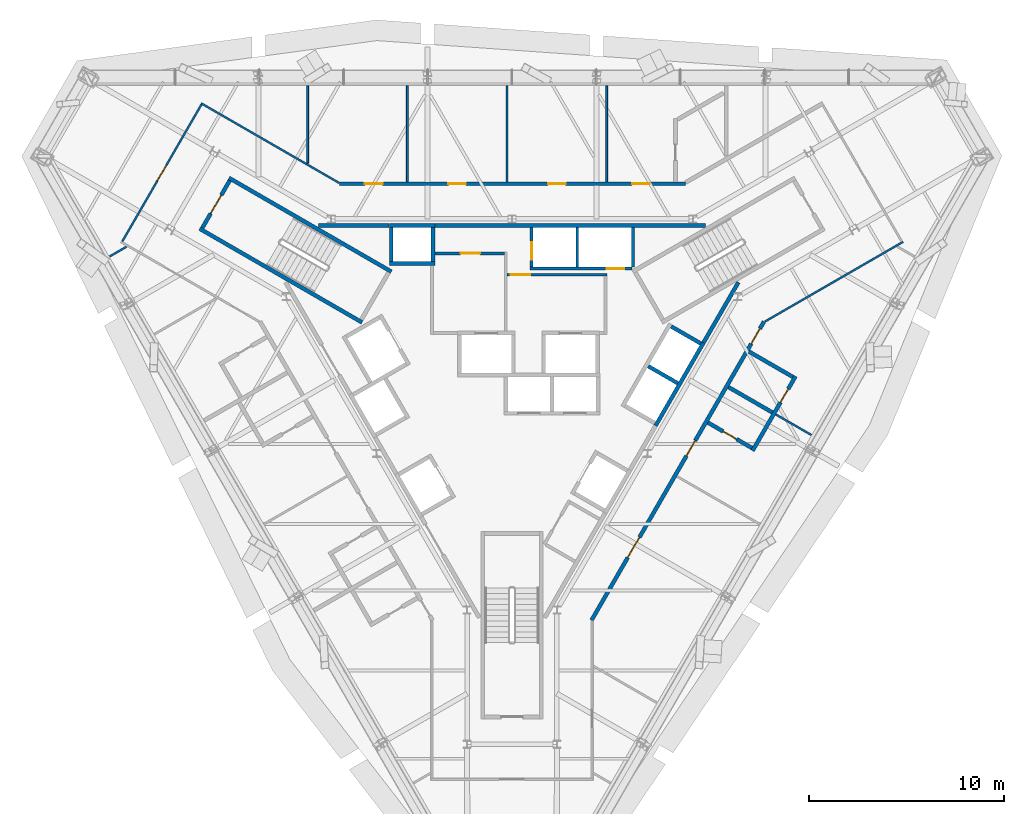
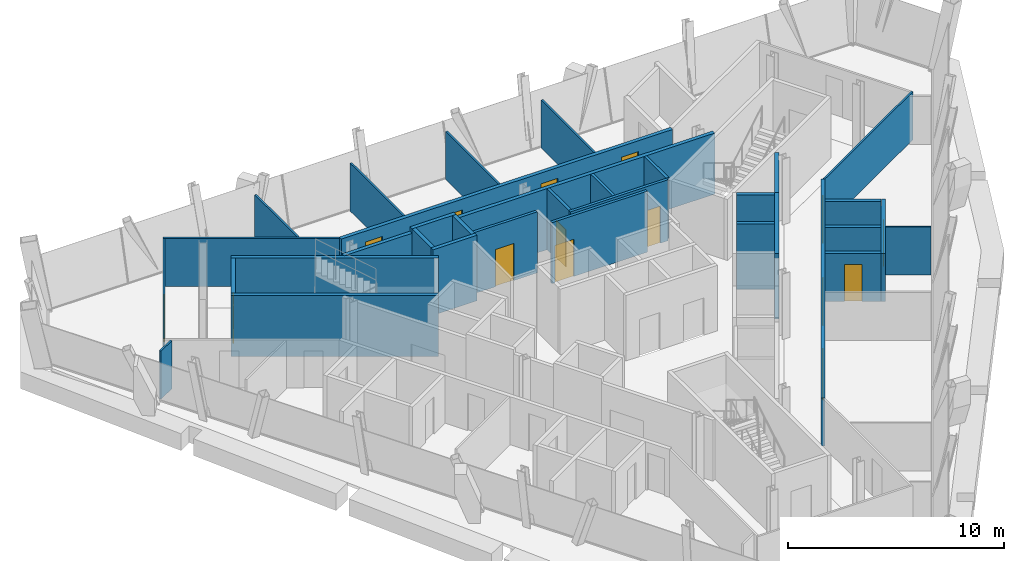
# One storey, part 8 of 10: 34 walls, 15 doors, 15 openings.
"""IFC4 building model written with IfcOpenShell, lengths in metres."""

import ifcopenshell
import ifcopenshell.guid

model = None  # the IFC model being written
_history = None  # IfcOwnerHistory: only IFC2X3 demands one
_inside = {}  # id of a spatial element -> (the spatial element, [elements in it])
_under = {}  # id of a project, library or spatial element -> (it, [spatial elements below it])
_declared = {}  # id of a project -> (the project, [libraries it declares])
_typed = {}  # id of a type object -> (the type object, [elements of that type])
_made_of = {}  # id of a material, layer set ... -> (it, [elements and type objects made of it])


def new_model(schema):
    """Start an empty IFC model of exactly this schema.

    Asked for "IFC4X3", IfcOpenShell would pick the latest addendum, in which some entities
    have other attributes; the version numbers below select the first issue.
    IFC2X3 requires an IfcOwnerHistory on every rooted entity: one is made here for all.
    """
    global model, _history
    if schema == "IFC4X3":
        model = ifcopenshell.file(schema_version=(4, 3, 0, 0))
    else:
        model = ifcopenshell.file(schema=schema)
    _inside.clear()
    _under.clear()
    _declared.clear()
    _typed.clear()
    _made_of.clear()
    _history = None
    if model.schema == "IFC2X3":
        org = make("IfcOrganization", Name="unknown")
        user = make(
            "IfcPersonAndOrganization",
            ThePerson=make("IfcPerson", FamilyName="unknown"),
            TheOrganization=org,
        )
        app = make(
            "IfcApplication",
            ApplicationDeveloper=org,
            Version="unknown",
            ApplicationFullName="unknown",
            ApplicationIdentifier="unknown",
        )
        _history = make(
            "IfcOwnerHistory",
            OwningUser=user,
            OwningApplication=app,
            ChangeAction="ADDED",
            CreationDate=0,
        )
    return model


def make(cls, **values):
    """One entity of the class cls with the attributes given. An attribute that is None is left unset."""
    return model.create_entity(
        cls, **{name: value for name, value in values.items() if value is not None}
    )


def rooted(cls, **values):
    """An entity with a GlobalId (a new one), such as an element, a storey or a relation."""
    return make(cls, GlobalId=ifcopenshell.guid.new(), OwnerHistory=_history, **values)


def si_unit(unit_type, name, prefix=None):
    """IfcSIUnit, for example si_unit("LENGTHUNIT", "METRE", prefix="MILLI")."""
    return make("IfcSIUnit", UnitType=unit_type, Prefix=prefix, Name=name)


def assignment(units):
    """IfcUnitAssignment: the units of a project."""
    return None if units is None else make("IfcUnitAssignment", Units=units)


def point(xyz):
    """IfcCartesianPoint."""
    return None if xyz is None else make("IfcCartesianPoint", Coordinates=xyz)


def direction(xyz):
    """IfcDirection."""
    return None if xyz is None else make("IfcDirection", DirectionRatios=xyz)


def frame(location, z_axis=None, x_axis=None):
    """IfcAxis2Placement3D, a coordinate frame: its origin and axes. An axis left out is left unset."""
    return make(
        "IfcAxis2Placement3D",
        Location=point(location),
        Axis=direction(z_axis),
        RefDirection=direction(x_axis),
    )


def frame_2d(location, x_axis=None):
    """IfcAxis2Placement2D, a coordinate frame in the plane: its origin and x axis."""
    return make(
        "IfcAxis2Placement2D", Location=point(location), RefDirection=direction(x_axis)
    )


def origin():
    """The frame at (0, 0, 0) with its axes left unset."""
    return frame((0.0, 0.0, 0.0))


def place(relative_to, where):
    """IfcLocalPlacement: puts the frame where relative to a parent placement (None: the world)."""
    return make(
        "IfcLocalPlacement", PlacementRelTo=relative_to, RelativePlacement=where
    )


def context(
    kind, dimensions, precision=None, world=None, true_north=None, identifier=None
):
    """IfcGeometricRepresentationContext, for example the 3D "Model" context."""
    return make(
        "IfcGeometricRepresentationContext",
        ContextIdentifier=identifier,
        ContextType=kind,
        CoordinateSpaceDimension=dimensions,
        Precision=precision,
        WorldCoordinateSystem=world,
        TrueNorth=true_north,
    )


def subcontext(parent, identifier, kind, view, scale=None):
    """IfcGeometricRepresentationSubContext, for example "Body" below "Model"."""
    return make(
        "IfcGeometricRepresentationSubContext",
        ContextIdentifier=identifier,
        ContextType=kind,
        ParentContext=parent,
        TargetScale=scale,
        TargetView=view,
    )


def project(units=None, contexts=None):
    """IfcProject with its units and contexts."""
    return rooted(
        "IfcProject",
        Name="project",
        RepresentationContexts=contexts,
        UnitsInContext=assignment(units),
    )


def spatial(cls, under=None, at=None, **own):
    """A site, building, storey or space (cls), placed at a placement, below another one or the project."""
    s = rooted(cls, ObjectPlacement=at, **own)
    if under is not None:
        _under.setdefault(under.id(), (under, []))[1].append(s)
    return s


def profile(cls, at=None, kind="AREA", **sizes):
    """A parametric profile (cls). Its sizes go by their IFC names, for example OverallWidth=200.0."""
    return make(cls, ProfileType=kind, Position=at, **sizes)


def rectangle(**sizes):
    """IfcRectangleProfileDef."""
    return profile("IfcRectangleProfileDef", **sizes)


def extrude(swept, where, along, depth):
    """IfcExtrudedAreaSolid: the profile swept, set in the frame where, extruded along a direction by depth."""
    return make(
        "IfcExtrudedAreaSolid",
        SweptArea=swept,
        Position=where,
        ExtrudedDirection=direction(along),
        Depth=depth,
    )


def shape(context_of_items, identifier, shape_type, items):
    """IfcShapeRepresentation: the items that make up one representation, for example the "Body"."""
    return make(
        "IfcShapeRepresentation",
        ContextOfItems=context_of_items,
        RepresentationIdentifier=identifier,
        RepresentationType=shape_type,
        Items=items,
    )


def material(Name=None, Category=None):
    """IfcMaterial."""
    return make("IfcMaterial", Name=Name, Category=Category)


def layer(
    of_material, thickness, ventilated=None, Name=None, Category=None, Priority=None
):
    """IfcMaterialLayer: one layer of a wall or slab, of a material (None: an air gap)."""
    return make(
        "IfcMaterialLayer",
        Material=of_material,
        LayerThickness=thickness,
        IsVentilated=ventilated,
        Name=Name,
        Category=Category,
        Priority=Priority,
    )


def layer_set(layers, Name=None):
    """IfcMaterialLayerSet."""
    return make("IfcMaterialLayerSet", MaterialLayers=layers, LayerSetName=Name)


def made_of(thing, what):
    """Note that an element or type object is made of a material, layer set ...; save() writes the relation."""
    if what is not None:
        _made_of.setdefault(what.id(), (what, []))[1].append(thing)
    return thing


def type_object(cls, material=None, **own):
    """A type object (cls), such as IfcWallType, which elements share."""
    return made_of(rooted(cls, **own), material)


def element(
    cls,
    number,
    at=None,
    inside=None,
    cuts=None,
    type_object=None,
    material=None,
    context=None,
    identifier="Body",
    shape_type=None,
    held_by="IfcProductDefinitionShape",
    body=None,
    shapes=None,
    **own,
):
    """One element of the class cls, such as IfcWall. Its Tag is "e" and its number.

    at: its placement. inside: the storey or other place that contains it. cuts: it is an
    opening in that element (IfcRelVoidsElement). A single representation is given by context,
    identifier, shape_type and body (its items); several are given by shapes. held_by: the class
    of the entity that holds the representations. save() writes the other relations.
    """
    e = rooted(cls, Tag="e%d" % number, ObjectPlacement=at, **own)
    if body is not None:
        shapes = [shape(context, identifier, shape_type, body)]
    if shapes is not None:
        e.Representation = make(held_by, Representations=shapes)
    if inside is not None:
        _inside.setdefault(inside.id(), (inside, []))[1].append(e)
    if cuts is not None:
        rooted(
            "IfcRelVoidsElement", RelatingBuildingElement=cuts, RelatedOpeningElement=e
        )
    if type_object is not None:
        _typed.setdefault(type_object.id(), (type_object, []))[1].append(e)
    return made_of(e, material)


def fill(opening, filler):
    """IfcRelFillsElement: the door or window that sits in an opening."""
    return rooted(
        "IfcRelFillsElement",
        RelatingOpeningElement=opening,
        RelatedBuildingElement=filler,
    )


def aggregate(whole, parts):
    """IfcRelAggregates: a whole, such as a stair, and the parts it consists of."""
    return rooted("IfcRelAggregates", RelatingObject=whole, RelatedObjects=parts)


def save(model, path):
    """Write the relations noted so far, then the file.

    IfcRelAggregates (storeys below a building ...), IfcRelContainedInSpatialStructure (elements
    in a storey), IfcRelDefinesByType, IfcRelAssociatesMaterial and IfcRelDeclares: one each for
    every whole, place, type object, material and project.
    """
    for whole, parts in _under.values():
        aggregate(whole, parts)
    for where, things in _inside.values():
        rooted(
            "IfcRelContainedInSpatialStructure",
            RelatedElements=things,
            RelatingStructure=where,
        )
    for kind, things in _typed.values():
        rooted("IfcRelDefinesByType", RelatedObjects=things, RelatingType=kind)
    for what, things in _made_of.values():
        rooted("IfcRelAssociatesMaterial", RelatedObjects=things, RelatingMaterial=what)
    for by, libraries in _declared.values():
        rooted("IfcRelDeclares", RelatingContext=by, RelatedDefinitions=libraries)
    model.write(path)


model = new_model("IFC4")

# Units and contexts
model_context = context("Model", 3, precision=1e-05, world=origin(), true_north=direction((0.0, 1.0)))
body_context = subcontext(model_context, "Body", "Model", "MODEL_VIEW")
ifc_project = project(units=[si_unit("LENGTHUNIT", "METRE"), si_unit("AREAUNIT", "SQUARE_METRE"), si_unit("VOLUMEUNIT", "CUBIC_METRE"), si_unit("PLANEANGLEUNIT", "RADIAN"), si_unit("MASSUNIT", "GRAM", prefix="KILO")], contexts=[model_context])

# Site, building, storey
site_placement = place(None, origin())
site = spatial("IfcSite", under=ifc_project, at=site_placement, CompositionType="ELEMENT")
building_placement = place(site_placement, origin())
building = spatial("IfcBuilding", under=site, at=building_placement, Name="Verrane Prism Tower", CompositionType="ELEMENT")
storey_placement = place(building_placement, frame((0.0, 0.0, 213.800048828125)))
storey = spatial("IfcBuildingStorey", under=building, at=storey_placement, Name="L53", CompositionType="ELEMENT", Elevation=213.800048828125)

# Walls
ifc_material_1 = material(Name="Gypsum board partition", Category="other")
ifc_layer_1 = layer(ifc_material_1, 0.199951171875)
ifc_layer_set_1 = layer_set([ifc_layer_1], Name="CW-200 core boundary wall 2 h")
wall_type_1 = type_object("IfcWallType", Name="CW-200 core boundary wall 2 h", PredefinedType="PARTITIONING", material=ifc_layer_set_1)
wall_1_placement = place(storey_placement, frame((-9.907958984375, 7.659912109375, 0.0), z_axis=(0.0, 0.0, 1.0), x_axis=(1.0, 0.0, 0.0)))
element("IfcWall", 1, at=wall_1_placement, inside=storey, type_object=wall_type_1, Name="Core boundary wall CW3-002", PredefinedType="PARTITIONING", context=body_context, shape_type="SweptSolid", body=[
    extrude(rectangle(XDim=3.620849609375, YDim=0.199951171875, at=frame_2d((1.810546875, 0.0))), origin(), (0.0, 0.0, 1.0), 3.449951171875),
])
wall_2_placement = place(storey_placement, frame((-3.93310546875, 7.659912109375, 0.0), z_axis=(0.0, 0.0, 1.0), x_axis=(1.0, 0.0, 0.0)))
element("IfcWall", 2, at=wall_2_placement, inside=storey, type_object=wall_type_1, Name="Core boundary wall CW3-005", PredefinedType="PARTITIONING", context=body_context, shape_type="SweptSolid", body=[
    extrude(rectangle(XDim=13.841064453125, YDim=0.199951171875, at=frame_2d((6.92041015625, 0.0))), origin(), (0.0, 0.0, 1.0), 3.449951171875),
])
wall_3_placement = place(storey_placement, frame((9.802978515625, 1.657958984375, 0.0), z_axis=(0.0, 0.0, 1.0), x_axis=(0.499943114462, 0.866058244174, 0.0)))
element("IfcWall", 3, at=wall_3_placement, inside=storey, type_object=wall_type_1, Name="Core boundary wall CW3-008", PredefinedType="PARTITIONING", context=body_context, shape_type="SweptSolid", body=[
    extrude(rectangle(XDim=3.57568359375, YDim=0.199951171875, at=frame_2d((1.787841796875, 0.0))), origin(), (0.0, 0.0, 1.0), 3.449951171875),
])

# Wall, opening, door
ifc_material_2 = material(Name="Concrete C40/50", Category="concrete")
ifc_layer_2 = layer(ifc_material_2, 0.199951171875)
ifc_layer_set_2 = layer_set([ifc_layer_2], Name="CW-200 stair core wall concrete C40/50 3 h")
wall_type_2 = type_object("IfcWallType", Name="CW-200 stair core wall concrete C40/50 3 h", PredefinedType="PARTITIONING", material=ifc_layer_set_2)
wall_4_placement = place(storey_placement, frame((-14.455322265625, 9.96240234375, 0.0), z_axis=(0.0, 0.0, 1.0), x_axis=(-0.500049511043, -0.865996816683, 0.0)))
wall_4 = element("IfcWall", 4, at=wall_4_placement, inside=storey, type_object=wall_type_2, Name="Stair 2 enclosure wall", PredefinedType="PARTITIONING", context=body_context, shape_type="SweptSolid", body=[
    extrude(rectangle(XDim=2.800048828125, YDim=0.199951171875, at=frame_2d((1.39990234375, 0.0))), origin(), (0.0, 0.0, 1.0), 3.449951171875),
])
opening_1_placement = place(wall_4_placement, frame((0.849853515625, 0.0, 0.0)))
opening_1 = element("IfcOpeningElement", 5, at=opening_1_placement, cuts=wall_4, Name="Opening D51501", PredefinedType="OPENING", context=body_context, shape_type="SweptSolid", body=[
    extrude(rectangle(XDim=1.10009765625, YDim=2.10009765625, at=frame_2d((0.550048828125, 1.050048828125))), frame((0.0, 0.10986328125, 0.0), z_axis=(0.0, -1.0, 0.0), x_axis=(1.0, 0.0, 0.0)), (0.0, 0.0, 1.0), 0.219970703125),
])
ifc_material_3 = material(Name="Timber veneered door leaf", Category="wood")
door_type_1 = type_object("IfcDoorType", Name="DR-1100x2100 FD90 single leaf stair", OperationType="NOTDEFINED", PredefinedType="DOOR", material=ifc_material_3)
door_1_placement = place(opening_1_placement, origin())
door_1 = element("IfcDoor", 6, at=door_1_placement, inside=storey, type_object=door_type_1, Name="Stair 2 door", OperationType="SINGLE_SWING_RIGHT", OverallHeight=2.10009765625, OverallWidth=1.10009765625, PredefinedType="DOOR", context=body_context, shape_type="SweptSolid", body=[
    extrude(rectangle(XDim=1.10009765625, YDim=2.10009765625, at=frame_2d((0.550048828125, 1.050048828125))), frame((0.0, 0.02490234375, 0.0), z_axis=(0.0, -1.0, 0.0), x_axis=(1.0, 0.0, 0.0)), (0.0, 0.0, 1.0), 0.050048828125),
])
fill(opening_1, door_1)

# Walls
for number, where, z_axis, x_axis, name in (
    (7, (-7.67822265625, 2.700927734375, 0.0), (0.0, 0.0, 1.0), (-0.866019993635, 0.500009370536, 0.0), "Stair 2 enclosure wall"),
    (8, (-6.17822265625, 5.299072265625, 0.0), (0.0, 0.0, 1.0), (-0.866019993635, 0.500009370536, 0.0), "Stair 2 enclosure wall"),
):
    element("IfcWall", number, at=place(storey_placement, frame(where, z_axis=z_axis, x_axis=x_axis)), inside=storey, type_object=wall_type_2, Name=name, PredefinedType="PARTITIONING", context=body_context, shape_type="SweptSolid", body=[
        extrude(rectangle(XDim=9.599853515625, YDim=0.199951171875, at=frame_2d((4.7998046875, 0.0))), origin(), (0.0, 0.0, 1.0), 3.449951171875),
    ])
ifc_material_4 = material(Name="Gypsum board shaft wall assembly", Category="other")
ifc_layer_3 = layer(ifc_material_4, 0.199951171875)
ifc_layer_set_3 = layer_set([ifc_layer_3], Name="HW-200 lift shaft wall 2 h")
wall_type_3 = type_object("IfcWallType", Name="HW-200 lift shaft wall 2 h", PredefinedType="PARTITIONING", material=ifc_layer_set_3)
for number, where, z_axis, x_axis, name in (
    (9, (-6.284912109375, 5.7099609375, 0.0), (0.0, 0.0, 1.0), (1.0, 0.0, 0.0), "Lift shaft wall"),
    (10, (-6.284912109375, 7.659912109375, 0.0), (0.0, 0.0, 1.0), (1.0, 0.0, 0.0), "Lift shaft wall"),
):
    element("IfcWall", number, at=place(storey_placement, frame(where, z_axis=z_axis, x_axis=x_axis)), inside=storey, type_object=wall_type_3, Name=name, PredefinedType="PARTITIONING", context=body_context, shape_type="SweptSolid", body=[
        extrude(rectangle(XDim=2.349853515625, YDim=0.199951171875, at=frame_2d((1.1748046875, 0.0))), origin(), (0.0, 0.0, 1.0), 3.699951171875),
    ])
wall_5_placement = place(storey_placement, frame((7.351318359375, -2.587158203125, 0.0), z_axis=(0.0, 0.0, 1.0), x_axis=(0.500002801628, 0.866023786258, 0.0)))
element("IfcWall", 11, at=wall_5_placement, inside=storey, type_object=wall_type_3, Name="Lift shaft wall", PredefinedType="PARTITIONING", context=body_context, shape_type="SweptSolid", body=[
    extrude(rectangle(XDim=4.89990234375, YDim=0.199951171875, at=frame_2d((2.449951171875, 0.0))), origin(), (0.0, 0.0, 1.0), 3.699951171875),
])
for number, where, z_axis, x_axis, name in (
    (12, (-4.034912109375, 5.81005859375, 0.0), (0.0, 0.0, 1.0), (0.0, 1.0, 0.0), "Lift shaft wall"),
    (13, (-6.18505859375, 5.81005859375, 0.0), (0.0, 0.0, 1.0), (0.0, 1.0, 0.0), "Lift shaft wall"),
):
    element("IfcWall", number, at=place(storey_placement, frame(where, z_axis=z_axis, x_axis=x_axis)), inside=storey, type_object=wall_type_3, Name=name, PredefinedType="PARTITIONING", context=body_context, shape_type="SweptSolid", body=[
        extrude(rectangle(XDim=1.75, YDim=0.199951171875, at=frame_2d((0.875, 0.0))), origin(), (0.0, 0.0, 1.0), 3.699951171875),
    ])
wall_6_placement = place(storey_placement, frame((9.66455078125, 1.61962890625, 0.0), z_axis=(0.0, 0.0, 1.0), x_axis=(-0.866002029911, 0.500040482552, 0.0)))
element("IfcWall", 14, at=wall_6_placement, inside=storey, type_object=wall_type_3, Name="Lift shaft wall", PredefinedType="PARTITIONING", context=body_context, shape_type="SweptSolid", body=[
    extrude(rectangle(XDim=1.749755859375, YDim=0.199951171875, at=frame_2d((0.875, 0.0))), origin(), (0.0, 0.0, 1.0), 3.699951171875),
])
wall_7_placement = place(storey_placement, frame((8.48974609375, -0.41552734375, 0.0), z_axis=(0.0, 0.0, 1.0), x_axis=(-0.866036909293, 0.499980071345, 0.0)))
element("IfcWall", 15, at=wall_7_placement, inside=storey, type_object=wall_type_3, Name="Lift shaft wall", PredefinedType="PARTITIONING", context=body_context, shape_type="SweptSolid", body=[
    extrude(rectangle(XDim=1.75, YDim=0.199951171875, at=frame_2d((0.875, 0.0))), origin(), (0.0, 0.0, 1.0), 3.699951171875),
])

# Wall, opening, door
ifc_material_5 = material(Name="Gypsum board partition", Category="other")
ifc_layer_4 = layer(ifc_material_5, 0.14990234375)
ifc_layer_set_4 = layer_set([ifc_layer_4], Name="LF-150 firefighting lobby wall 1 h")
wall_type_4 = type_object("IfcWallType", Name="LF-150 firefighting lobby wall 1 h", PredefinedType="PARTITIONING", material=ifc_layer_set_4)
wall_8_placement = place(storey_placement, frame((-3.93310546875, 6.239990234375, 0.0), z_axis=(0.0, 0.0, 1.0), x_axis=(1.0, 0.0, 0.0)))
wall_8 = element("IfcWall", 16, at=wall_8_placement, inside=storey, type_object=wall_type_4, Name="Firefighting lobby wall LF1-003", PredefinedType="PARTITIONING", context=body_context, shape_type="SweptSolid", body=[
    extrude(rectangle(XDim=3.5380859375, YDim=0.14990234375, at=frame_2d((1.76904296875, 0.0))), origin(), (0.0, 0.0, 1.0), 3.449951171875),
])
opening_2_placement = place(wall_8_placement, frame((1.300048828125, 0.0, 0.0)))
opening_2 = element("IfcOpeningElement", 17, at=opening_2_placement, cuts=wall_8, Name="Opening D51512", PredefinedType="OPENING", context=body_context, shape_type="SweptSolid", body=[
    extrude(rectangle(XDim=1.0, YDim=2.10009765625, at=frame_2d((0.5, 1.050048828125))), frame((0.0, 0.0849609375, 0.0), z_axis=(0.0, -1.0, 0.0), x_axis=(1.0, 0.0, 0.0)), (0.0, 0.0, 1.0), 0.169921875),
])
ifc_material_6 = material(Name="Timber veneered door leaf", Category="wood")
door_type_2 = type_object("IfcDoorType", Name="DR-1000x2100 FD60 single leaf firefighting lobby", OperationType="NOTDEFINED", PredefinedType="DOOR", material=ifc_material_6)
door_2_placement = place(opening_2_placement, origin())
door_2 = element("IfcDoor", 18, at=door_2_placement, inside=storey, type_object=door_type_2, Name="Firefighting lobby door D51512", OperationType="SINGLE_SWING_LEFT", OverallHeight=2.10009765625, OverallWidth=1.0, PredefinedType="DOOR", context=body_context, shape_type="SweptSolid", body=[
    extrude(rectangle(XDim=1.0, YDim=2.10009765625, at=frame_2d((0.5, 1.050048828125))), frame((0.0, 0.02490234375, 0.0), z_axis=(0.0, -1.0, 0.0), x_axis=(1.0, 0.0, 0.0)), (0.0, 0.0, 1.0), 0.050048828125),
])
fill(opening_2, door_2)

wall_9_placement = place(storey_placement, frame((-0.2451171875, 5.139892578125, 0.0), z_axis=(0.0, 0.0, 1.0), x_axis=(1.0, 0.0, 0.0)))
wall_9 = element("IfcWall", 19, at=wall_9_placement, inside=storey, type_object=wall_type_4, Name="Firefighting lobby wall LF1-005", PredefinedType="PARTITIONING", context=body_context, shape_type="SweptSolid", body=[
    extrude(rectangle(XDim=5.110107421875, YDim=0.14990234375, at=frame_2d((2.55517578125, 0.0))), origin(), (0.0, 0.0, 1.0), 3.449951171875),
])
opening_3_placement = place(wall_9_placement, frame((0.175048828125, 0.0, 0.0)))
opening_3 = element("IfcOpeningElement", 20, at=opening_3_placement, cuts=wall_9, Name="Opening D51513", PredefinedType="OPENING", context=body_context, shape_type="SweptSolid", body=[
    extrude(rectangle(XDim=1.0, YDim=2.10009765625, at=frame_2d((0.5, 1.050048828125))), frame((0.0, 0.0849609375, 0.0), z_axis=(0.0, -1.0, 0.0), x_axis=(1.0, 0.0, 0.0)), (0.0, 0.0, 1.0), 0.169921875),
])
door_3_placement = place(opening_3_placement, origin())
door_3 = element("IfcDoor", 21, at=door_3_placement, inside=storey, type_object=door_type_2, Name="Firefighting lobby door D51513", OperationType="SINGLE_SWING_LEFT", OverallHeight=2.10009765625, OverallWidth=1.0, PredefinedType="DOOR", context=body_context, shape_type="SweptSolid", body=[
    extrude(rectangle(XDim=1.0, YDim=2.10009765625, at=frame_2d((0.5, 1.050048828125))), frame((0.0, 0.02490234375, 0.0), z_axis=(0.0, -1.0, 0.0), x_axis=(1.0, 0.0, 0.0)), (0.0, 0.0, 1.0), 0.050048828125),
])
fill(opening_3, door_3)

# Wall
ifc_material_7 = material(Name="Gypsum board partition", Category="other")
ifc_layer_5 = layer(ifc_material_7, 0.10009765625)
ifc_layer_set_5 = layer_set([ifc_layer_5], Name="PW-100 room partition")
wall_type_5 = type_object("IfcWallType", Name="PW-100 room partition", PredefinedType="PARTITIONING", material=ifc_layer_set_5)
wall_10_placement = place(storey_placement, frame((-20.603515625, 6.076171875, 0.0), z_axis=(0.0, 0.0, 1.0), x_axis=(0.865855657918, 0.500293893279, 0.0)))
element("IfcWall", 22, at=wall_10_placement, inside=storey, type_object=wall_type_5, Name="Room partition 001", PredefinedType="PARTITIONING", context=body_context, shape_type="SweptSolid", body=[
    extrude(rectangle(XDim=0.99853515625, YDim=0.10009765625, at=frame_2d((0.499267578125, 0.0))), origin(), (0.0, 0.0, 1.0), 2.712890625),
])

# Wall, opening, door
wall_11_placement = place(storey_placement, frame((-19.955078125, 6.84423828125, 0.0), z_axis=(0.0, 0.0, 1.0), x_axis=(0.500415732313, 0.865785247537, 0.0)))
wall_11 = element("IfcWall", 23, at=wall_11_placement, inside=storey, type_object=wall_type_5, Name="Room partition 002", PredefinedType="PARTITIONING", context=body_context, shape_type="SweptSolid", body=[
    extrude(rectangle(XDim=8.09716796875, YDim=0.10009765625, at=frame_2d((4.048583984375, 0.0))), origin(), (0.0, 0.0, 1.0), 2.712890625),
])
opening_4_placement = place(wall_11_placement, frame((3.60009765625, 0.0, 0.0)))
opening_4 = element("IfcOpeningElement", 24, at=opening_4_placement, cuts=wall_11, Name="Opening D51013", PredefinedType="OPENING", context=body_context, shape_type="SweptSolid", body=[
    extrude(rectangle(XDim=0.89990234375, YDim=2.10009765625, at=frame_2d((0.449951171875, 1.050048828125))), frame((0.0, 0.06005859375, 0.0), z_axis=(0.0, -1.0, 0.0), x_axis=(1.0, 0.0, 0.0)), (0.0, 0.0, 1.0), 0.1201171875),
])
ifc_material_8 = material(Name="Timber veneered door leaf", Category="wood")
door_type_3 = type_object("IfcDoorType", Name="DR-900x2100 single leaf unit", OperationType="NOTDEFINED", PredefinedType="DOOR", material=ifc_material_8)
door_4_placement = place(opening_4_placement, origin())
door_4 = element("IfcDoor", 25, at=door_4_placement, inside=storey, type_object=door_type_3, Name="Study door", OperationType="SINGLE_SWING_LEFT", OverallHeight=2.10009765625, OverallWidth=0.89990234375, PredefinedType="DOOR", context=body_context, shape_type="SweptSolid", body=[
    extrude(rectangle(XDim=0.89990234375, YDim=2.10009765625, at=frame_2d((0.449951171875, 1.050048828125))), frame((0.0, 0.02490234375, 0.0), z_axis=(0.0, -1.0, 0.0), x_axis=(1.0, 0.0, 0.0)), (0.0, 0.0, 1.0), 0.050048828125),
])
fill(opening_4, door_4)

# Walls
wall_12_placement = place(storey_placement, frame((-15.92138671875, 13.923095703125, 0.0), z_axis=(0.0, 0.0, 1.0), x_axis=(0.866088973199, -0.499889878377, 0.0)))
element("IfcWall", 26, at=wall_12_placement, inside=storey, type_object=wall_type_5, Name="Room partition 005", PredefinedType="PARTITIONING", context=body_context, shape_type="SweptSolid", body=[
    extrude(rectangle(XDim=8.162841796875, YDim=0.10009765625, at=frame_2d((4.08154296875, 0.0))), origin(), (0.0, 0.0, 1.0), 2.712890625),
])
wall_13_placement = place(storey_placement, frame((-10.4609375, 10.858642578125, 0.0), z_axis=(0.0, 0.0, 1.0), x_axis=(0.0, 1.0, 0.0)))
element("IfcWall", 27, at=wall_13_placement, inside=storey, type_object=wall_type_5, Name="Room partition 013", PredefinedType="PARTITIONING", context=body_context, shape_type="SweptSolid", body=[
    extrude(rectangle(XDim=3.947265625, YDim=0.10009765625, at=frame_2d((1.9736328125, 0.0))), origin(), (0.0, 0.0, 1.0), 2.712890625),
])
for number, where, z_axis, x_axis, name in (
    (28, (-5.35791015625, 9.89990234375, 0.0), (0.0, 0.0, 1.0), (0.0, 1.0, 0.0), "Room partition 020"),
    (29, (-0.2548828125, 9.89990234375, 0.0), (0.0, 0.0, 1.0), (0.0, 1.0, 0.0), "Room partition 024"),
    (30, (4.847900390625, 9.89990234375, 0.0), (0.0, 0.0, 1.0), (0.0, 1.0, 0.0), "Room partition 029"),
):
    element("IfcWall", number, at=place(storey_placement, frame(where, z_axis=z_axis, x_axis=x_axis)), inside=storey, type_object=wall_type_5, Name=name, PredefinedType="PARTITIONING", context=body_context, shape_type="SweptSolid", body=[
        extrude(rectangle(XDim=4.906005859375, YDim=0.10009765625, at=frame_2d((2.453125, 0.0))), origin(), (0.0, 0.0, 1.0), 2.712890625),
    ])
wall_14_placement = place(storey_placement, frame((12.95166015625, 2.744384765625, 0.0), z_axis=(0.0, 0.0, 1.0), x_axis=(0.86608949446, 0.499888975259, 0.0)))
element("IfcWall", 31, at=wall_14_placement, inside=storey, type_object=wall_type_5, Name="Room partition 039", PredefinedType="PARTITIONING", context=body_context, shape_type="SweptSolid", body=[
    extrude(rectangle(XDim=8.164794921875, YDim=0.10009765625, at=frame_2d((4.08251953125, 0.0))), origin(), (0.0, 0.0, 1.0), 2.712890625),
])
wall_15_placement = place(storey_placement, frame((13.510009765625, -2.012451171875, 0.0), z_axis=(0.0, 0.0, 1.0), x_axis=(0.866022890907, -0.500004352405, 0.0)))
element("IfcWall", 32, at=wall_15_placement, inside=storey, type_object=wall_type_5, Name="Room partition 040", PredefinedType="PARTITIONING", context=body_context, shape_type="SweptSolid", body=[
    extrude(rectangle(XDim=2.09912109375, YDim=0.10009765625, at=frame_2d((1.049560546875, 0.0))), origin(), (0.0, 0.0, 1.0), 2.712890625),
])

# Wall, openings, doors
ifc_material_9 = material(Name="Gypsum board partition", Category="other")
ifc_layer_6 = layer(ifc_material_9, 0.199951171875)
ifc_layer_set_6 = layer_set([ifc_layer_6], Name="PW-200 plumbing wall")
wall_type_6 = type_object("IfcWallType", Name="PW-200 plumbing wall", PredefinedType="PARTITIONING", material=ifc_layer_set_6)
wall_16_placement = place(storey_placement, frame((-8.827880859375, 9.800048828125, 0.0), z_axis=(0.0, 0.0, 1.0), x_axis=(1.0, 0.0, 0.0)))
wall_16 = element("IfcWall", 33, at=wall_16_placement, inside=storey, type_object=wall_type_6, Name="Plumbing wall 017", PredefinedType="PARTITIONING", context=body_context, shape_type="SweptSolid", body=[
    extrude(rectangle(XDim=17.705810546875, YDim=0.199951171875, at=frame_2d((8.85302734375, 0.0))), origin(), (0.0, 0.0, 1.0), 2.712890625),
])
opening_5_placement = place(wall_16_placement, frame((14.97607421875, 0.0, 0.0)))
opening_5 = element("IfcOpeningElement", 34, at=opening_5_placement, cuts=wall_16, Name="Opening D51008", PredefinedType="OPENING", context=body_context, shape_type="SweptSolid", body=[
    extrude(rectangle(XDim=0.89990234375, YDim=2.10009765625, at=frame_2d((0.449951171875, 1.050048828125))), frame((0.0, 0.10986328125, 0.0), z_axis=(0.0, -1.0, 0.0), x_axis=(1.0, 0.0, 0.0)), (0.0, 0.0, 1.0), 0.219970703125),
])
opening_6_placement = place(wall_16_placement, frame((10.673095703125, 0.0, 0.0)))
opening_6 = element("IfcOpeningElement", 35, at=opening_6_placement, cuts=wall_16, Name="Opening D51010", PredefinedType="OPENING", context=body_context, shape_type="SweptSolid", body=[
    extrude(rectangle(XDim=0.89990234375, YDim=2.10009765625, at=frame_2d((0.449951171875, 1.050048828125))), frame((0.0, 0.10986328125, 0.0), z_axis=(0.0, -1.0, 0.0), x_axis=(1.0, 0.0, 0.0)), (0.0, 0.0, 1.0), 0.219970703125),
])
opening_7_placement = place(wall_16_placement, frame((5.570068359375, 0.0, 0.0)))
opening_7 = element("IfcOpeningElement", 36, at=opening_7_placement, cuts=wall_16, Name="Opening D51011", PredefinedType="OPENING", context=body_context, shape_type="SweptSolid", body=[
    extrude(rectangle(XDim=0.89990234375, YDim=2.10009765625, at=frame_2d((0.449951171875, 1.050048828125))), frame((0.0, 0.10986328125, 0.0), z_axis=(0.0, -1.0, 0.0), x_axis=(1.0, 0.0, 0.0)), (0.0, 0.0, 1.0), 0.219970703125),
])
opening_8_placement = place(wall_16_placement, frame((1.300048828125, 0.0, 0.0)))
opening_8 = element("IfcOpeningElement", 37, at=opening_8_placement, cuts=wall_16, Name="Opening D51012", PredefinedType="OPENING", context=body_context, shape_type="SweptSolid", body=[
    extrude(rectangle(XDim=0.89990234375, YDim=2.10009765625, at=frame_2d((0.449951171875, 1.050048828125))), frame((0.0, 0.10986328125, 0.0), z_axis=(0.0, -1.0, 0.0), x_axis=(1.0, 0.0, 0.0)), (0.0, 0.0, 1.0), 0.219970703125),
])
ifc_material_10 = material(Name="Timber veneered door leaf", Category="wood")
door_type_4 = type_object("IfcDoorType", Name="DR-900x2100 single leaf inner", OperationType="NOTDEFINED", PredefinedType="DOOR", material=ifc_material_10)
door_5_placement = place(opening_5_placement, origin())
door_5 = element("IfcDoor", 38, at=door_5_placement, inside=storey, type_object=door_type_4, Name="Master Bedroom door", OperationType="SINGLE_SWING_RIGHT", OverallHeight=2.10009765625, OverallWidth=0.89990234375, PredefinedType="DOOR", context=body_context, shape_type="SweptSolid", body=[
    extrude(rectangle(XDim=0.89990234375, YDim=2.10009765625, at=frame_2d((0.449951171875, 1.050048828125))), frame((0.0, 0.02490234375, 0.0), z_axis=(0.0, -1.0, 0.0), x_axis=(1.0, 0.0, 0.0)), (0.0, 0.0, 1.0), 0.050048828125),
])
fill(opening_5, door_5)
door_6_placement = place(opening_6_placement, origin())
door_6 = element("IfcDoor", 39, at=door_6_placement, inside=storey, type_object=door_type_3, Name="Study door", OperationType="SINGLE_SWING_RIGHT", OverallHeight=2.10009765625, OverallWidth=0.89990234375, PredefinedType="DOOR", context=body_context, shape_type="SweptSolid", body=[
    extrude(rectangle(XDim=0.89990234375, YDim=2.10009765625, at=frame_2d((0.449951171875, 1.050048828125))), frame((0.0, 0.02490234375, 0.0), z_axis=(0.0, -1.0, 0.0), x_axis=(1.0, 0.0, 0.0)), (0.0, 0.0, 1.0), 0.050048828125),
])
fill(opening_6, door_6)
door_7_placement = place(opening_7_placement, origin())
door_7 = element("IfcDoor", 40, at=door_7_placement, inside=storey, type_object=door_type_3, Name="Study door", OperationType="SINGLE_SWING_LEFT", OverallHeight=2.10009765625, OverallWidth=0.89990234375, PredefinedType="DOOR", context=body_context, shape_type="SweptSolid", body=[
    extrude(rectangle(XDim=0.89990234375, YDim=2.10009765625, at=frame_2d((0.449951171875, 1.050048828125))), frame((0.0, 0.02490234375, 0.0), z_axis=(0.0, -1.0, 0.0), x_axis=(1.0, 0.0, 0.0)), (0.0, 0.0, 1.0), 0.050048828125),
])
fill(opening_7, door_7)
door_8_placement = place(opening_8_placement, origin())
door_8 = element("IfcDoor", 41, at=door_8_placement, inside=storey, type_object=door_type_3, Name="Study door", OperationType="SINGLE_SWING_RIGHT", OverallHeight=2.10009765625, OverallWidth=0.89990234375, PredefinedType="DOOR", context=body_context, shape_type="SweptSolid", body=[
    extrude(rectangle(XDim=0.89990234375, YDim=2.10009765625, at=frame_2d((0.449951171875, 1.050048828125))), frame((0.0, 0.02490234375, 0.0), z_axis=(0.0, -1.0, 0.0), x_axis=(1.0, 0.0, 0.0)), (0.0, 0.0, 1.0), 0.050048828125),
])
fill(opening_8, door_8)

wall_17_placement = place(storey_placement, frame((12.903076171875, 2.745361328125, 0.0), z_axis=(0.0, 0.0, 1.0), x_axis=(-0.499999743747, -0.866025551732, 0.0)))
wall_17 = element("IfcWall", 42, at=wall_17_placement, inside=storey, type_object=wall_type_6, Name="Plumbing wall 028", PredefinedType="PARTITIONING", context=body_context, shape_type="SweptSolid", body=[
    extrude(rectangle(XDim=17.65625, YDim=0.199951171875, at=frame_2d((8.828125, 0.0))), origin(), (0.0, 0.0, 1.0), 2.712890625),
])
opening_9_placement = place(wall_17_placement, frame((12.756103515625, 0.0, 0.0)))
opening_9 = element("IfcOpeningElement", 43, at=opening_9_placement, cuts=wall_17, Name="Opening D51002", PredefinedType="OPENING", context=body_context, shape_type="SweptSolid", body=[
    extrude(rectangle(XDim=1.199951171875, YDim=2.10009765625, at=frame_2d((0.60009765625, 1.050048828125))), frame((0.0, 0.10986328125, 0.0), z_axis=(0.0, -1.0, 0.0), x_axis=(1.0, 0.0, 0.0)), (0.0, 0.0, 1.0), 0.219970703125),
])
opening_10_placement = place(wall_17_placement, frame((7.0439453125, 0.0, 0.0)))
opening_10 = element("IfcOpeningElement", 44, at=opening_10_placement, cuts=wall_17, Name="Opening D51003", PredefinedType="OPENING", context=body_context, shape_type="SweptSolid", body=[
    extrude(rectangle(XDim=0.89990234375, YDim=2.10009765625, at=frame_2d((0.449951171875, 1.050048828125))), frame((0.0, 0.10986328125, 0.0), z_axis=(0.0, -1.0, 0.0), x_axis=(1.0, 0.0, 0.0)), (0.0, 0.0, 1.0), 0.219970703125),
])
opening_11_placement = place(wall_17_placement, frame((0.4169921875, 0.0, 0.0)))
opening_11 = element("IfcOpeningElement", 45, at=opening_11_placement, cuts=wall_17, Name="Opening D51005", PredefinedType="OPENING", context=body_context, shape_type="SweptSolid", body=[
    extrude(rectangle(XDim=0.89990234375, YDim=2.10009765625, at=frame_2d((0.449951171875, 1.050048828125))), frame((0.0, 0.10986328125, 0.0), z_axis=(0.0, -1.0, 0.0), x_axis=(1.0, 0.0, 0.0)), (0.0, 0.0, 1.0), 0.219970703125),
])
ifc_material_11 = material(Name="Timber veneered door leaf", Category="wood")
door_type_5 = type_object("IfcDoorType", Name="DR-1200x2100 single leaf unit", OperationType="NOTDEFINED", PredefinedType="DOOR", material=ifc_material_11)
door_9_placement = place(opening_9_placement, origin())
door_9 = element("IfcDoor", 46, at=door_9_placement, inside=storey, type_object=door_type_5, Name="Living And Dining Room door", OperationType="SINGLE_SWING_LEFT", OverallHeight=2.10009765625, OverallWidth=1.199951171875, PredefinedType="DOOR", context=body_context, shape_type="SweptSolid", body=[
    extrude(rectangle(XDim=1.199951171875, YDim=2.10009765625, at=frame_2d((0.60009765625, 1.050048828125))), frame((0.0, 0.02490234375, 0.0), z_axis=(0.0, -1.0, 0.0), x_axis=(1.0, 0.0, 0.0)), (0.0, 0.0, 1.0), 0.050048828125),
])
fill(opening_9, door_9)
door_10_placement = place(opening_10_placement, origin())
door_10 = element("IfcDoor", 47, at=door_10_placement, inside=storey, type_object=door_type_4, Name="Bedroom door", OperationType="SINGLE_SWING_RIGHT", OverallHeight=2.10009765625, OverallWidth=0.89990234375, PredefinedType="DOOR", context=body_context, shape_type="SweptSolid", body=[
    extrude(rectangle(XDim=0.89990234375, YDim=2.10009765625, at=frame_2d((0.449951171875, 1.050048828125))), frame((0.0, 0.02490234375, 0.0), z_axis=(0.0, -1.0, 0.0), x_axis=(1.0, 0.0, 0.0)), (0.0, 0.0, 1.0), 0.050048828125),
])
fill(opening_10, door_10)
door_11_placement = place(opening_11_placement, origin())
door_11 = element("IfcDoor", 48, at=door_11_placement, inside=storey, type_object=door_type_4, Name="Bedroom door", OperationType="SINGLE_SWING_RIGHT", OverallHeight=2.10009765625, OverallWidth=0.89990234375, PredefinedType="DOOR", context=body_context, shape_type="SweptSolid", body=[
    extrude(rectangle(XDim=0.89990234375, YDim=2.10009765625, at=frame_2d((0.449951171875, 1.050048828125))), frame((0.0, 0.02490234375, 0.0), z_axis=(0.0, -1.0, 0.0), x_axis=(1.0, 0.0, 0.0)), (0.0, 0.0, 1.0), 0.050048828125),
])
fill(opening_11, door_11)

# Wall, opening, door
wall_18_placement = place(storey_placement, frame((10.034912109375, -2.431396484375, 0.0), z_axis=(0.0, 0.0, 1.0), x_axis=(0.866028930478, -0.499993891537, 0.0)))
wall_18 = element("IfcWall", 49, at=wall_18_placement, inside=storey, type_object=wall_type_6, Name="Plumbing wall 034", PredefinedType="PARTITIONING", context=body_context, shape_type="SweptSolid", body=[
    extrude(rectangle(XDim=2.59521484375, YDim=0.199951171875, at=frame_2d((1.297607421875, 0.0))), origin(), (0.0, 0.0, 1.0), 2.712890625),
])
opening_12_placement = place(wall_18_placement, frame((0.89501953125, 0.0, 0.0)))
opening_12 = element("IfcOpeningElement", 50, at=opening_12_placement, cuts=wall_18, Name="Opening D51004", PredefinedType="OPENING", context=body_context, shape_type="SweptSolid", body=[
    extrude(rectangle(XDim=0.800048828125, YDim=2.10009765625, at=frame_2d((0.39990234375, 1.050048828125))), frame((0.0, 0.10986328125, 0.0), z_axis=(0.0, -1.0, 0.0), x_axis=(1.0, 0.0, 0.0)), (0.0, 0.0, 1.0), 0.219970703125),
])
ifc_material_12 = material(Name="Timber veneered door leaf", Category="wood")
door_type_6 = type_object("IfcDoorType", Name="DR-800x2100 single leaf bath", OperationType="NOTDEFINED", PredefinedType="DOOR", material=ifc_material_12)
door_12_placement = place(opening_12_placement, origin())
door_12 = element("IfcDoor", 51, at=door_12_placement, inside=storey, type_object=door_type_6, Name="Bathroom door", OperationType="SINGLE_SWING_RIGHT", OverallHeight=2.10009765625, OverallWidth=0.800048828125, PredefinedType="DOOR", context=body_context, shape_type="SweptSolid", body=[
    extrude(rectangle(XDim=0.800048828125, YDim=2.10009765625, at=frame_2d((0.39990234375, 1.050048828125))), frame((0.0, 0.02490234375, 0.0), z_axis=(0.0, -1.0, 0.0), x_axis=(1.0, 0.0, 0.0)), (0.0, 0.0, 1.0), 0.050048828125),
])
fill(opening_12, door_12)

# Walls
for number, where, z_axis, x_axis, name in (
    (52, (11.0849609375, -0.612548828125, 0.0), (0.0, 0.0, 1.0), (0.866046148833, -0.4999640668, 0.0), "Plumbing wall 036"),
    (53, (12.135009765625, 1.20556640625, 0.0), (0.0, 0.0, 1.0), (0.866005410122, -0.500034628441, 0.0), "Plumbing wall 037"),
):
    element("IfcWall", number, at=place(storey_placement, frame(where, z_axis=z_axis, x_axis=x_axis)), inside=storey, type_object=wall_type_6, Name=name, PredefinedType="PARTITIONING", context=body_context, shape_type="SweptSolid", body=[
        extrude(rectangle(XDim=2.594970703125, YDim=0.199951171875, at=frame_2d((1.29736328125, 0.0))), origin(), (0.0, 0.0, 1.0), 2.712890625),
    ])

# Wall, opening, door
wall_19_placement = place(storey_placement, frame((12.319091796875, -3.86572265625, 0.0), z_axis=(0.0, 0.0, 1.0), x_axis=(0.50001224981, 0.866018331238, 0.0)))
wall_19 = element("IfcWall", 54, at=wall_19_placement, inside=storey, type_object=wall_type_6, Name="Plumbing wall 038", PredefinedType="PARTITIONING", context=body_context, shape_type="SweptSolid", body=[
    extrude(rectangle(XDim=4.39990234375, YDim=0.199951171875, at=frame_2d((2.199951171875, 0.0))), origin(), (0.0, 0.0, 1.0), 2.712890625),
])
opening_13_placement = place(wall_19_placement, frame((2.85009765625, 0.0, 0.0)))
opening_13 = element("IfcOpeningElement", 55, at=opening_13_placement, cuts=wall_19, Name="Opening D51006", PredefinedType="OPENING", context=body_context, shape_type="SweptSolid", body=[
    extrude(rectangle(XDim=0.800048828125, YDim=2.10009765625, at=frame_2d((0.39990234375, 1.050048828125))), frame((0.0, 0.10986328125, 0.0), z_axis=(0.0, -1.0, 0.0), x_axis=(1.0, 0.0, 0.0)), (0.0, 0.0, 1.0), 0.219970703125),
])
door_13_placement = place(opening_13_placement, origin())
door_13 = element("IfcDoor", 56, at=door_13_placement, inside=storey, type_object=door_type_6, Name="Bathroom door", OperationType="SINGLE_SWING_RIGHT", OverallHeight=2.10009765625, OverallWidth=0.800048828125, PredefinedType="DOOR", context=body_context, shape_type="SweptSolid", body=[
    extrude(rectangle(XDim=0.800048828125, YDim=2.10009765625, at=frame_2d((0.39990234375, 1.050048828125))), frame((0.0, 0.02490234375, 0.0), z_axis=(0.0, -1.0, 0.0), x_axis=(1.0, 0.0, 0.0)), (0.0, 0.0, 1.0), 0.050048828125),
])
fill(opening_13, door_13)

ifc_material_13 = material(Name="Gypsum board partition", Category="other")
ifc_layer_7 = layer(ifc_material_13, 0.14990234375)
ifc_layer_set_7 = layer_set([ifc_layer_7], Name="RS-150 riser enclosure wall 1 h")
wall_type_7 = type_object("IfcWallType", Name="RS-150 riser enclosure wall 1 h", PredefinedType="PARTITIONING", material=ifc_layer_set_7)
wall_20_placement = place(storey_placement, frame((1.0, 7.56005859375, 0.0), z_axis=(0.0, 0.0, 1.0), x_axis=(0.0, -1.0, 0.0)))
wall_20 = element("IfcWall", 57, at=wall_20_placement, inside=storey, type_object=wall_type_7, Name="Riser wall RS3-001", PredefinedType="PARTITIONING", context=body_context, shape_type="SweptSolid", body=[
    extrude(rectangle(XDim=2.025146484375, YDim=0.14990234375, at=frame_2d((1.0126953125, 0.0))), origin(), (0.0, 0.0, 1.0), 3.449951171875),
])
opening_14_placement = place(wall_20_placement, frame((0.75, 0.0, 0.0)))
opening_14 = element("IfcOpeningElement", 58, at=opening_14_placement, cuts=wall_20, Name="Opening D51514", PredefinedType="OPENING", context=body_context, shape_type="SweptSolid", body=[
    extrude(rectangle(XDim=0.89990234375, YDim=2.10009765625, at=frame_2d((0.449951171875, 1.050048828125))), frame((0.0, 0.0849609375, 0.0), z_axis=(0.0, -1.0, 0.0), x_axis=(1.0, 0.0, 0.0)), (0.0, 0.0, 1.0), 0.169921875),
])
ifc_material_14 = material(Name="Timber veneered door leaf", Category="wood")
door_type_7 = type_object("IfcDoorType", Name="DR-900x2100 FD60 single leaf riser", OperationType="NOTDEFINED", PredefinedType="DOOR", material=ifc_material_14)
door_14_placement = place(opening_14_placement, origin())
door_14 = element("IfcDoor", 59, at=door_14_placement, inside=storey, type_object=door_type_7, Name="Riser door D51514", OperationType="SINGLE_SWING_RIGHT", OverallHeight=2.10009765625, OverallWidth=0.89990234375, PredefinedType="DOOR", context=body_context, shape_type="SweptSolid", body=[
    extrude(rectangle(XDim=0.89990234375, YDim=2.10009765625, at=frame_2d((0.449951171875, 1.050048828125))), frame((0.0, 0.02490234375, 0.0), z_axis=(0.0, -1.0, 0.0), x_axis=(1.0, 0.0, 0.0)), (0.0, 0.0, 1.0), 0.050048828125),
])
fill(opening_14, door_14)

wall_21_placement = place(storey_placement, frame((0.925048828125, 5.4599609375, 0.0), z_axis=(0.0, 0.0, 1.0), x_axis=(1.0, 0.0, 0.0)))
wall_21 = element("IfcWall", 60, at=wall_21_placement, inside=storey, type_object=wall_type_7, Name="Riser wall RS3-002", PredefinedType="PARTITIONING", context=body_context, shape_type="SweptSolid", body=[
    extrude(rectangle(XDim=5.219970703125, YDim=0.14990234375, at=frame_2d((2.60986328125, 0.0))), origin(), (0.0, 0.0, 1.0), 3.449951171875),
])
opening_15_placement = place(wall_21_placement, frame((3.9150390625, 0.0, 0.0)))
opening_15 = element("IfcOpeningElement", 61, at=opening_15_placement, cuts=wall_21, Name="Opening D51515", PredefinedType="OPENING", context=body_context, shape_type="SweptSolid", body=[
    extrude(rectangle(XDim=0.89990234375, YDim=2.10009765625, at=frame_2d((0.449951171875, 1.050048828125))), frame((0.0, 0.0849609375, 0.0), z_axis=(0.0, -1.0, 0.0), x_axis=(1.0, 0.0, 0.0)), (0.0, 0.0, 1.0), 0.169921875),
])
door_15_placement = place(opening_15_placement, origin())
door_15 = element("IfcDoor", 62, at=door_15_placement, inside=storey, type_object=door_type_7, Name="Riser door D51515", OperationType="SINGLE_SWING_RIGHT", OverallHeight=2.10009765625, OverallWidth=0.89990234375, PredefinedType="DOOR", context=body_context, shape_type="SweptSolid", body=[
    extrude(rectangle(XDim=0.89990234375, YDim=2.10009765625, at=frame_2d((0.449951171875, 1.050048828125))), frame((0.0, 0.02490234375, 0.0), z_axis=(0.0, -1.0, 0.0), x_axis=(1.0, 0.0, 0.0)), (0.0, 0.0, 1.0), 0.050048828125),
])
fill(opening_15, door_15)

# Walls
for number, where, z_axis, x_axis, name in (
    (63, (3.340087890625, 5.534912109375, 0.0), (0.0, 0.0, 1.0), (0.0, 1.0, 0.0), "Riser wall RS3-006"),
    (64, (6.199951171875, 5.534912109375, 0.0), (0.0, 0.0, 1.0), (0.0, 1.0, 0.0), "Riser wall RS3-007"),
):
    element("IfcWall", number, at=place(storey_placement, frame(where, z_axis=z_axis, x_axis=x_axis)), inside=storey, type_object=wall_type_7, Name=name, PredefinedType="PARTITIONING", context=body_context, shape_type="SweptSolid", body=[
        extrude(rectangle(XDim=2.025146484375, YDim=0.14990234375, at=frame_2d((1.0126953125, 0.0))), origin(), (0.0, 0.0, 1.0), 3.449951171875),
    ])

save(model, "model.ifc")
